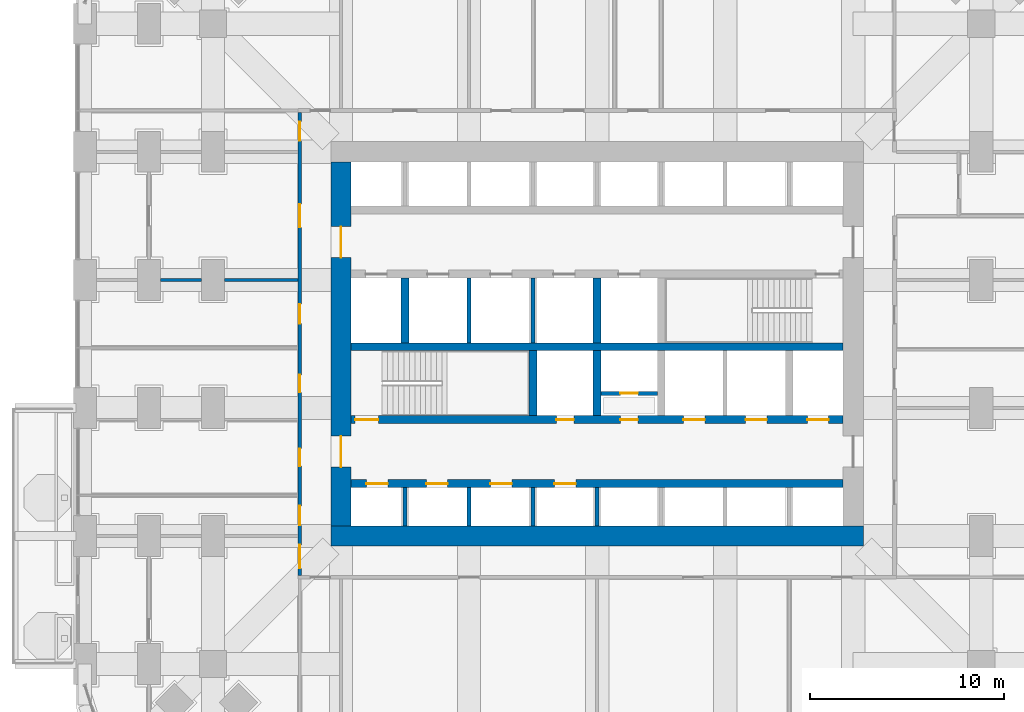
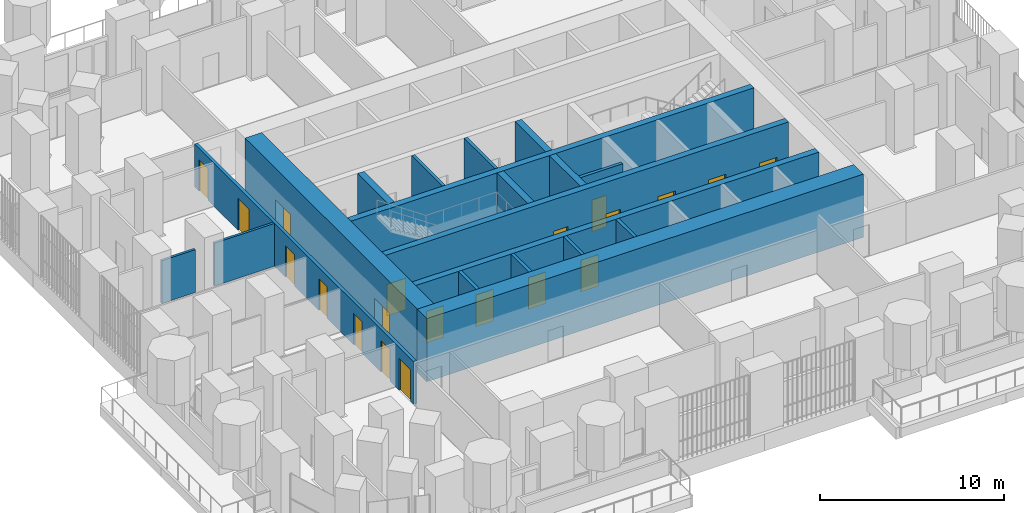
# One storey, part 19 of 27: 20 doors, 19 walls, 20 openings.
"""IFC4 building model written with IfcOpenShell, lengths in metres."""

from ifc_helpers import new_model, si_unit, direction, frame, frame_2d, origin, place, context, subcontext, project, spatial, rectangle, extrude, material, layer, layer_set, type_object, element, fill, save


model = new_model("IFC4")

# Units and contexts
model_context = context("Model", 3, precision=1e-05, world=origin(), true_north=direction((0.0, 1.0)))
body_context = subcontext(model_context, "Body", "Model", "MODEL_VIEW")
ifc_project = project(units=[si_unit("LENGTHUNIT", "METRE"), si_unit("AREAUNIT", "SQUARE_METRE"), si_unit("VOLUMEUNIT", "CUBIC_METRE"), si_unit("PLANEANGLEUNIT", "RADIAN"), si_unit("MASSUNIT", "GRAM", prefix="KILO")], contexts=[model_context])

# Site, building, storey
site_placement = place(None, origin())
site = spatial("IfcSite", under=ifc_project, at=site_placement, CompositionType="ELEMENT")
building_placement = place(site_placement, origin())
building = spatial("IfcBuilding", under=site, at=building_placement, Name="Cobogo Forest Laboratory Tower", CompositionType="ELEMENT")
storey_placement = place(building_placement, frame((0.0, 0.0, 29.699951171875)))
storey = spatial("IfcBuildingStorey", under=building, at=storey_placement, Name="L06", CompositionType="ELEMENT", Elevation=29.699951171875)

# Wall, openings, doors
ifc_material_1 = material(Name="Concrete HA-50 (C50/60)", Category="concrete")
ifc_layer_1 = layer(ifc_material_1, 0.39990234375)
ifc_layer_set_1 = layer_set([ifc_layer_1], Name="CI400 core inner wall 400")
wall_type_1 = type_object("IfcWallType", Name="CI400 core inner wall 400", PredefinedType="SHEAR", material=ifc_layer_set_1)
wall_1_placement = place(storey_placement, frame((13.72509765625, 15.89990234375, 0.0), z_axis=(0.0, 0.0, 1.0), x_axis=(1.0, 0.0, 0.0)))
wall_1 = element("IfcWall", 1, at=wall_1_placement, inside=storey, type_object=wall_type_1, Name="Core wall CI-15.9 L06", PredefinedType="SHEAR", context=body_context, shape_type="SweptSolid", body=[
    extrude(rectangle(XDim=25.349853515625, YDim=0.39990234375, at=frame_2d((12.6748046875, 0.0))), origin(), (0.0, 0.0, 1.0), 4.199951171875),
])
opening_1_placement = place(wall_1_placement, frame((0.78759765625, 0.0, 0.0)))
opening_1 = element("IfcOpeningElement", 2, at=opening_1_placement, cuts=wall_1, Name="Opening L06-LD-LA1", PredefinedType="OPENING", context=body_context, shape_type="SweptSolid", body=[
    extrude(rectangle(XDim=1.10009765625, YDim=2.10009765625, at=frame_2d((0.550048828125, 1.050048828125))), frame((0.0, 0.2099609375, 0.0), z_axis=(0.0, -1.0, 0.0), x_axis=(1.0, 0.0, 0.0)), (0.0, 0.0, 1.0), 0.419921875),
])
opening_2_placement = place(wall_1_placement, frame((3.875, 0.0, 0.0)))
opening_2 = element("IfcOpeningElement", 3, at=opening_2_placement, cuts=wall_1, Name="Opening L06-LD-LA2", PredefinedType="OPENING", context=body_context, shape_type="SweptSolid", body=[
    extrude(rectangle(XDim=1.10009765625, YDim=2.10009765625, at=frame_2d((0.550048828125, 1.050048828125))), frame((0.0, 0.2099609375, 0.0), z_axis=(0.0, -1.0, 0.0), x_axis=(1.0, 0.0, 0.0)), (0.0, 0.0, 1.0), 0.419921875),
])
opening_3_placement = place(wall_1_placement, frame((7.175048828125, 0.0, 0.0)))
opening_3 = element("IfcOpeningElement", 4, at=opening_3_placement, cuts=wall_1, Name="Opening L06-LD-LA3", PredefinedType="OPENING", context=body_context, shape_type="SweptSolid", body=[
    extrude(rectangle(XDim=1.10009765625, YDim=2.10009765625, at=frame_2d((0.550048828125, 1.050048828125))), frame((0.0, 0.2099609375, 0.0), z_axis=(0.0, -1.0, 0.0), x_axis=(1.0, 0.0, 0.0)), (0.0, 0.0, 1.0), 0.419921875),
])
opening_4_placement = place(wall_1_placement, frame((10.47509765625, 0.0, 0.0)))
opening_4 = element("IfcOpeningElement", 5, at=opening_4_placement, cuts=wall_1, Name="Opening L06-LD-LA4", PredefinedType="OPENING", context=body_context, shape_type="SweptSolid", body=[
    extrude(rectangle(XDim=1.10009765625, YDim=2.10009765625, at=frame_2d((0.550048828125, 1.050048828125))), frame((0.0, 0.2099609375, 0.0), z_axis=(0.0, -1.0, 0.0), x_axis=(1.0, 0.0, 0.0)), (0.0, 0.0, 1.0), 0.419921875),
])
ifc_material_2 = material(Name="Stainless steel lift door", Category="steel")
door_type_1 = type_object("IfcDoorType", Name="LD lift landing door 1100", OperationType="DOUBLE_DOOR_SLIDING", PredefinedType="DOOR", material=ifc_material_2)
door_1_placement = place(opening_1_placement, origin())
door_1 = element("IfcDoor", 6, at=door_1_placement, inside=storey, type_object=door_type_1, Name="Lift landing door LA1 L06", OperationType="DOUBLE_DOOR_SLIDING", OverallHeight=2.10009765625, OverallWidth=1.10009765625, PredefinedType="DOOR", context=body_context, shape_type="SweptSolid", body=[
    extrude(rectangle(XDim=1.10009765625, YDim=2.10009765625, at=frame_2d((0.550048828125, 1.050048828125))), frame((0.0, 0.02490234375, 0.0), z_axis=(0.0, -1.0, 0.0), x_axis=(1.0, 0.0, 0.0)), (0.0, 0.0, 1.0), 0.050048828125),
])
fill(opening_1, door_1)
door_2_placement = place(opening_2_placement, origin())
door_2 = element("IfcDoor", 7, at=door_2_placement, inside=storey, type_object=door_type_1, Name="Lift landing door LA2 L06", OperationType="DOUBLE_DOOR_SLIDING", OverallHeight=2.10009765625, OverallWidth=1.10009765625, PredefinedType="DOOR", context=body_context, shape_type="SweptSolid", body=[
    extrude(rectangle(XDim=1.10009765625, YDim=2.10009765625, at=frame_2d((0.550048828125, 1.050048828125))), frame((0.0, 0.02490234375, 0.0), z_axis=(0.0, -1.0, 0.0), x_axis=(1.0, 0.0, 0.0)), (0.0, 0.0, 1.0), 0.050048828125),
])
fill(opening_2, door_2)
door_3_placement = place(opening_3_placement, origin())
door_3 = element("IfcDoor", 8, at=door_3_placement, inside=storey, type_object=door_type_1, Name="Lift landing door LA3 L06", OperationType="DOUBLE_DOOR_SLIDING", OverallHeight=2.10009765625, OverallWidth=1.10009765625, PredefinedType="DOOR", context=body_context, shape_type="SweptSolid", body=[
    extrude(rectangle(XDim=1.10009765625, YDim=2.10009765625, at=frame_2d((0.550048828125, 1.050048828125))), frame((0.0, 0.02490234375, 0.0), z_axis=(0.0, -1.0, 0.0), x_axis=(1.0, 0.0, 0.0)), (0.0, 0.0, 1.0), 0.050048828125),
])
fill(opening_3, door_3)
door_4_placement = place(opening_4_placement, origin())
door_4 = element("IfcDoor", 9, at=door_4_placement, inside=storey, type_object=door_type_1, Name="Lift landing door LA4 L06", OperationType="DOUBLE_DOOR_SLIDING", OverallHeight=2.10009765625, OverallWidth=1.10009765625, PredefinedType="DOOR", context=body_context, shape_type="SweptSolid", body=[
    extrude(rectangle(XDim=1.10009765625, YDim=2.10009765625, at=frame_2d((0.550048828125, 1.050048828125))), frame((0.0, 0.02490234375, 0.0), z_axis=(0.0, -1.0, 0.0), x_axis=(1.0, 0.0, 0.0)), (0.0, 0.0, 1.0), 0.050048828125),
])
fill(opening_4, door_4)

wall_2_placement = place(storey_placement, frame((13.72509765625, 19.199951171875, 0.0), z_axis=(0.0, 0.0, 1.0), x_axis=(1.0, 0.0, 0.0)))
wall_2 = element("IfcWall", 10, at=wall_2_placement, inside=storey, type_object=wall_type_1, Name="Core wall CI-19.2 L06", PredefinedType="SHEAR", context=body_context, shape_type="SweptSolid", body=[
    extrude(rectangle(XDim=25.349853515625, YDim=0.39990234375, at=frame_2d((12.6748046875, 0.0))), origin(), (0.0, 0.0, 1.0), 4.199951171875),
])
opening_5_placement = place(wall_2_placement, frame((10.574951171875, 0.0, 0.0)))
opening_5 = element("IfcOpeningElement", 11, at=opening_5_placement, cuts=wall_2, Name="Opening L06-D21", PredefinedType="OPENING", context=body_context, shape_type="SweptSolid", body=[
    extrude(rectangle(XDim=0.89990234375, YDim=2.10009765625, at=frame_2d((0.449951171875, 1.050048828125))), frame((0.0, 0.2099609375, 0.0), z_axis=(0.0, -1.0, 0.0), x_axis=(1.0, 0.0, 0.0)), (0.0, 0.0, 1.0), 0.419921875),
])
opening_6_placement = place(wall_2_placement, frame((13.875, 0.0, 0.0)))
opening_6 = element("IfcOpeningElement", 12, at=opening_6_placement, cuts=wall_2, Name="Opening L06-D22", PredefinedType="OPENING", context=body_context, shape_type="SweptSolid", body=[
    extrude(rectangle(XDim=0.89990234375, YDim=2.10009765625, at=frame_2d((0.449951171875, 1.050048828125))), frame((0.0, 0.2099609375, 0.0), z_axis=(0.0, -1.0, 0.0), x_axis=(1.0, 0.0, 0.0)), (0.0, 0.0, 1.0), 0.419921875),
])
opening_7_placement = place(wall_2_placement, frame((0.199951171875, 0.0, 0.0)))
opening_7 = element("IfcOpeningElement", 13, at=opening_7_placement, cuts=wall_2, Name="Opening L06-D20", PredefinedType="OPENING", context=body_context, shape_type="SweptSolid", body=[
    extrude(rectangle(XDim=1.199951171875, YDim=2.10009765625, at=frame_2d((0.60009765625, 1.050048828125))), frame((0.0, 0.2099609375, 0.0), z_axis=(0.0, -1.0, 0.0), x_axis=(1.0, 0.0, 0.0)), (0.0, 0.0, 1.0), 0.419921875),
])
opening_8_placement = place(wall_2_placement, frame((23.512451171875, 0.0, 0.0)))
opening_8 = element("IfcOpeningElement", 14, at=opening_8_placement, cuts=wall_2, Name="Opening L06-LD-FL2", PredefinedType="OPENING", context=body_context, shape_type="SweptSolid", body=[
    extrude(rectangle(XDim=1.10009765625, YDim=2.10009765625, at=frame_2d((0.550048828125, 1.050048828125))), frame((0.0, 0.2099609375, 0.0), z_axis=(0.0, -1.0, 0.0), x_axis=(1.0, 0.0, 0.0)), (0.0, 0.0, 1.0), 0.419921875),
])
opening_9_placement = place(wall_2_placement, frame((17.125, 0.0, 0.0)))
opening_9 = element("IfcOpeningElement", 15, at=opening_9_placement, cuts=wall_2, Name="Opening L06-LD-LS1", PredefinedType="OPENING", context=body_context, shape_type="SweptSolid", body=[
    extrude(rectangle(XDim=1.10009765625, YDim=2.10009765625, at=frame_2d((0.550048828125, 1.050048828125))), frame((0.0, 0.2099609375, 0.0), z_axis=(0.0, -1.0, 0.0), x_axis=(1.0, 0.0, 0.0)), (0.0, 0.0, 1.0), 0.419921875),
])
opening_10_placement = place(wall_2_placement, frame((20.324951171875, 0.0, 0.0)))
opening_10 = element("IfcOpeningElement", 16, at=opening_10_placement, cuts=wall_2, Name="Opening L06-LD-LS2", PredefinedType="OPENING", context=body_context, shape_type="SweptSolid", body=[
    extrude(rectangle(XDim=1.10009765625, YDim=2.10009765625, at=frame_2d((0.550048828125, 1.050048828125))), frame((0.0, 0.2099609375, 0.0), z_axis=(0.0, -1.0, 0.0), x_axis=(1.0, 0.0, 0.0)), (0.0, 0.0, 1.0), 0.419921875),
])
ifc_material_3 = material(Name="Steel fire door", Category="steel")
door_type_2 = type_object("IfcDoorType", Name="DS1 protected stair door 1200 EI2 60", OperationType="SINGLE_SWING_LEFT", PredefinedType="DOOR", material=ifc_material_3)
door_5_placement = place(opening_7_placement, origin())
door_5 = element("IfcDoor", 17, at=door_5_placement, inside=storey, type_object=door_type_2, Name="Door L06-ST1", OperationType="SINGLE_SWING_LEFT", OverallHeight=2.10009765625, OverallWidth=1.199951171875, PredefinedType="DOOR", context=body_context, shape_type="SweptSolid", body=[
    extrude(rectangle(XDim=1.199951171875, YDim=2.10009765625, at=frame_2d((0.60009765625, 1.050048828125))), frame((0.0, 0.02490234375, 0.0), z_axis=(0.0, -1.0, 0.0), x_axis=(1.0, 0.0, 0.0)), (0.0, 0.0, 1.0), 0.050048828125),
])
fill(opening_7, door_5)
door_type_3 = type_object("IfcDoorType", Name="FD4 riser access door 900 EI2 60", OperationType="SINGLE_SWING_LEFT", PredefinedType="DOOR", material=ifc_material_3)
door_6_placement = place(opening_5_placement, origin())
door_6 = element("IfcDoor", 18, at=door_6_placement, inside=storey, type_object=door_type_3, Name="Door L06-R1", OperationType="SINGLE_SWING_LEFT", OverallHeight=2.10009765625, OverallWidth=0.89990234375, PredefinedType="DOOR", context=body_context, shape_type="SweptSolid", body=[
    extrude(rectangle(XDim=0.89990234375, YDim=2.10009765625, at=frame_2d((0.449951171875, 1.050048828125))), frame((0.0, 0.02490234375, 0.0), z_axis=(0.0, -1.0, 0.0), x_axis=(1.0, 0.0, 0.0)), (0.0, 0.0, 1.0), 0.050048828125),
])
fill(opening_5, door_6)
door_7_placement = place(opening_6_placement, origin())
door_7 = element("IfcDoor", 19, at=door_7_placement, inside=storey, type_object=door_type_3, Name="Door L06-R2V", OperationType="SINGLE_SWING_RIGHT", OverallHeight=2.10009765625, OverallWidth=0.89990234375, PredefinedType="DOOR", context=body_context, shape_type="SweptSolid", body=[
    extrude(rectangle(XDim=0.89990234375, YDim=2.10009765625, at=frame_2d((0.449951171875, 1.050048828125))), frame((0.0, 0.02490234375, 0.0), z_axis=(0.0, -1.0, 0.0), x_axis=(1.0, 0.0, 0.0)), (0.0, 0.0, 1.0), 0.050048828125),
])
fill(opening_6, door_7)
door_8_placement = place(opening_8_placement, origin())
door_8 = element("IfcDoor", 20, at=door_8_placement, inside=storey, type_object=door_type_1, Name="Lift landing door FL2 L06", OperationType="DOUBLE_DOOR_SLIDING", OverallHeight=2.10009765625, OverallWidth=1.10009765625, PredefinedType="DOOR", context=body_context, shape_type="SweptSolid", body=[
    extrude(rectangle(XDim=1.10009765625, YDim=2.10009765625, at=frame_2d((0.550048828125, 1.050048828125))), frame((0.0, 0.02490234375, 0.0), z_axis=(0.0, -1.0, 0.0), x_axis=(1.0, 0.0, 0.0)), (0.0, 0.0, 1.0), 0.050048828125),
])
fill(opening_8, door_8)
door_9_placement = place(opening_9_placement, origin())
door_9 = element("IfcDoor", 21, at=door_9_placement, inside=storey, type_object=door_type_1, Name="Lift landing door LS1 L06", OperationType="DOUBLE_DOOR_SLIDING", OverallHeight=2.10009765625, OverallWidth=1.10009765625, PredefinedType="DOOR", context=body_context, shape_type="SweptSolid", body=[
    extrude(rectangle(XDim=1.10009765625, YDim=2.10009765625, at=frame_2d((0.550048828125, 1.050048828125))), frame((0.0, 0.02490234375, 0.0), z_axis=(0.0, -1.0, 0.0), x_axis=(1.0, 0.0, 0.0)), (0.0, 0.0, 1.0), 0.050048828125),
])
fill(opening_9, door_9)
door_10_placement = place(opening_10_placement, origin())
door_10 = element("IfcDoor", 22, at=door_10_placement, inside=storey, type_object=door_type_1, Name="Lift landing door LS2 L06", OperationType="DOUBLE_DOOR_SLIDING", OverallHeight=2.10009765625, OverallWidth=1.10009765625, PredefinedType="DOOR", context=body_context, shape_type="SweptSolid", body=[
    extrude(rectangle(XDim=1.10009765625, YDim=2.10009765625, at=frame_2d((0.550048828125, 1.050048828125))), frame((0.0, 0.02490234375, 0.0), z_axis=(0.0, -1.0, 0.0), x_axis=(1.0, 0.0, 0.0)), (0.0, 0.0, 1.0), 0.050048828125),
])
fill(opening_10, door_10)

# Walls
wall_3_placement = place(storey_placement, frame((13.72509765625, 22.949951171875, 0.0), z_axis=(0.0, 0.0, 1.0), x_axis=(1.0, 0.0, 0.0)))
element("IfcWall", 23, at=wall_3_placement, inside=storey, type_object=wall_type_1, Name="Core wall CI-22.95 L06", PredefinedType="SHEAR", context=body_context, shape_type="SweptSolid", body=[
    extrude(rectangle(XDim=25.349853515625, YDim=0.39990234375, at=frame_2d((12.6748046875, 0.0))), origin(), (0.0, 0.0, 1.0), 4.199951171875),
])
for number, where, z_axis, x_axis, name in (
    (24, (23.10009765625, 19.39990234375, 0.0), (0.0, 0.0, 1.0), (0.0, 1.0, 0.0), "Core wall CX-23.1 L06"),
    (25, (26.39990234375, 19.39990234375, 0.0), (0.0, 0.0, 1.0), (0.0, 1.0, 0.0), "Core wall CX-26.4S L06"),
    (26, (16.5, 23.14990234375, 0.0), (0.0, 0.0, 1.0), (0.0, 1.0, 0.0), "Core wall CX-16.5 L06"),
    (27, (26.39990234375, 23.14990234375, 0.0), (0.0, 0.0, 1.0), (0.0, 1.0, 0.0), "Core wall CX-26.4N L06"),
):
    element("IfcWall", number, at=place(storey_placement, frame(where, z_axis=z_axis, x_axis=x_axis)), inside=storey, type_object=wall_type_1, Name=name, PredefinedType="SHEAR", context=body_context, shape_type="SweptSolid", body=[
        extrude(rectangle(XDim=3.35009765625, YDim=0.39990234375, at=frame_2d((1.675048828125, 0.0))), origin(), (0.0, 0.0, 1.0), 4.199951171875),
    ])
ifc_layer_2 = layer(ifc_material_1, 1.050048828125)
ifc_layer_set_2 = layer_set([ifc_layer_2], Name="CW1050 core outer wall 1050")
wall_type_2 = type_object("IfcWallType", Name="CW1050 core outer wall 1050", PredefinedType="SHEAR", material=ifc_layer_set_2)
wall_4_placement = place(storey_placement, frame((12.675048828125, 13.199951171875, 0.0), z_axis=(0.0, 0.0, 1.0), x_axis=(1.0, 0.0, 0.0)))
element("IfcWall", 28, at=wall_4_placement, inside=storey, type_object=wall_type_2, Name="Core wall CO-S L06", PredefinedType="SHEAR", context=body_context, shape_type="SweptSolid", body=[
    extrude(rectangle(XDim=27.449951171875, YDim=1.050048828125, at=frame_2d((13.72509765625, 0.0))), origin(), (0.0, 0.0, 1.0), 4.199951171875),
])

# Wall, openings, doors
wall_5_placement = place(storey_placement, frame((13.199951171875, 32.47509765625, 0.0), z_axis=(0.0, 0.0, 1.0), x_axis=(0.0, -1.0, 0.0)))
wall_5 = element("IfcWall", 29, at=wall_5_placement, inside=storey, type_object=wall_type_2, Name="Core wall CO-W L06", PredefinedType="SHEAR", context=body_context, shape_type="SweptSolid", body=[
    extrude(rectangle(XDim=18.75, YDim=1.050048828125, at=frame_2d((9.375, 0.0))), origin(), (0.0, 0.0, 1.0), 4.199951171875),
])
opening_11_placement = place(wall_5_placement, frame((14.125, 0.0, 0.0)))
opening_11 = element("IfcOpeningElement", 30, at=opening_11_placement, cuts=wall_5, Name="Opening L06-D18", PredefinedType="OPENING", context=body_context, shape_type="SweptSolid", body=[
    extrude(rectangle(XDim=1.60009765625, YDim=2.10009765625, at=frame_2d((0.800048828125, 1.050048828125))), frame((0.0, 0.534912109375, 0.0), z_axis=(0.0, -1.0, 0.0), x_axis=(1.0, 0.0, 0.0)), (0.0, 0.0, 1.0), 1.070068359375),
])
opening_12_placement = place(wall_5_placement, frame((3.324951171875, 0.0, 0.0)))
opening_12 = element("IfcOpeningElement", 31, at=opening_12_placement, cuts=wall_5, Name="Opening L06-D31", PredefinedType="OPENING", context=body_context, shape_type="SweptSolid", body=[
    extrude(rectangle(XDim=1.60009765625, YDim=2.10009765625, at=frame_2d((0.800048828125, 1.050048828125))), frame((0.0, 0.534912109375, 0.0), z_axis=(0.0, -1.0, 0.0), x_axis=(1.0, 0.0, 0.0)), (0.0, 0.0, 1.0), 1.070068359375),
])
door_type_4 = type_object("IfcDoorType", Name="DS2 protected lobby door pair 1600 EI2 60", OperationType="DOUBLE_DOOR_DOUBLE_SWING", PredefinedType="DOOR", material=ifc_material_3)
door_11_placement = place(opening_11_placement, origin())
door_11 = element("IfcDoor", 32, at=door_11_placement, inside=storey, type_object=door_type_4, Name="Door L06-CO-W-S", OperationType="DOUBLE_DOOR_DOUBLE_SWING", OverallHeight=2.10009765625, OverallWidth=1.60009765625, PredefinedType="DOOR", context=body_context, shape_type="SweptSolid", body=[
    extrude(rectangle(XDim=1.60009765625, YDim=2.10009765625, at=frame_2d((0.800048828125, 1.050048828125))), frame((0.0, 0.02490234375, 0.0), z_axis=(0.0, -1.0, 0.0), x_axis=(1.0, 0.0, 0.0)), (0.0, 0.0, 1.0), 0.050048828125),
])
fill(opening_11, door_11)
door_12_placement = place(opening_12_placement, origin())
door_12 = element("IfcDoor", 33, at=door_12_placement, inside=storey, type_object=door_type_4, Name="Door L06-CO-W-N", OperationType="DOUBLE_DOOR_DOUBLE_SWING", OverallHeight=2.10009765625, OverallWidth=1.60009765625, PredefinedType="DOOR", context=body_context, shape_type="SweptSolid", body=[
    extrude(rectangle(XDim=1.60009765625, YDim=2.10009765625, at=frame_2d((0.800048828125, 1.050048828125))), frame((0.0, 0.02490234375, 0.0), z_axis=(0.0, -1.0, 0.0), x_axis=(1.0, 0.0, 0.0)), (0.0, 0.0, 1.0), 0.050048828125),
])
fill(opening_12, door_12)

# Walls
ifc_material_4 = material(Name="Gypsum board on steel studs", Category="steel")
ifc_layer_3 = layer(ifc_material_4, 0.14990234375)
ifc_layer_set_3 = layer_set([ifc_layer_3], Name="PT1 laboratory partition 150")
wall_type_3 = type_object("IfcWallType", Name="PT1 laboratory partition 150", PredefinedType="PARTITIONING", material=ifc_layer_set_3)
wall_6_placement = place(storey_placement, frame((3.89990234375, 26.39990234375, 0.0), z_axis=(0.0, 0.0, 1.0), x_axis=(1.0, 0.0, 0.0)))
element("IfcWall", 34, at=wall_6_placement, inside=storey, type_object=wall_type_3, Name="Partition CUT-W26.4-2 L06", PredefinedType="PARTITIONING", context=body_context, shape_type="SweptSolid", body=[
    extrude(rectangle(XDim=2.10009765625, YDim=0.14990234375, at=frame_2d((1.050048828125, 0.0))), origin(), (0.0, 0.0, 1.0), 2.85009765625),
])
wall_7_placement = place(storey_placement, frame((7.199951171875, 26.39990234375, 0.0), z_axis=(0.0, 0.0, 1.0), x_axis=(1.0, 0.0, 0.0)))
element("IfcWall", 35, at=wall_7_placement, inside=storey, type_object=wall_type_3, Name="Partition CUT-W26.4-3 L06", PredefinedType="PARTITIONING", context=body_context, shape_type="SweptSolid", body=[
    extrude(rectangle(XDim=3.775146484375, YDim=0.14990234375, at=frame_2d((1.8876953125, 0.0))), origin(), (0.0, 0.0, 1.0), 2.85009765625),
])

# Wall, openings, doors
ifc_layer_4 = layer(ifc_material_4, 0.199951171875)
ifc_layer_set_4 = layer_set([ifc_layer_4], Name="PT2 fire-rated corridor partition 200")
wall_type_4 = type_object("IfcWallType", Name="PT2 fire-rated corridor partition 200", PredefinedType="PARTITIONING", material=ifc_layer_set_4)
wall_8_placement = place(storey_placement, frame((11.074951171875, 11.175048828125, 0.0), z_axis=(0.0, 0.0, 1.0), x_axis=(0.0, 1.0, 0.0)))
wall_8 = element("IfcWall", 36, at=wall_8_placement, inside=storey, type_object=wall_type_4, Name="Partition CORR-W L06", PredefinedType="PARTITIONING", context=body_context, shape_type="SweptSolid", body=[
    extrude(rectangle(XDim=23.849853515625, YDim=0.199951171875, at=frame_2d((11.9248046875, 0.0))), origin(), (0.0, 0.0, 1.0), 2.85009765625),
])
opening_13_placement = place(wall_8_placement, frame((0.362548828125, 0.0, 0.0)))
opening_13 = element("IfcOpeningElement", 37, at=opening_13_placement, cuts=wall_8, Name="Opening L06-D13", PredefinedType="OPENING", context=body_context, shape_type="SweptSolid", body=[
    extrude(rectangle(XDim=1.199951171875, YDim=2.10009765625, at=frame_2d((0.60009765625, 1.050048828125))), frame((0.0, 0.10986328125, 0.0), z_axis=(0.0, -1.0, 0.0), x_axis=(1.0, 0.0, 0.0)), (0.0, 0.0, 1.0), 0.219970703125),
])
opening_14_placement = place(wall_8_placement, frame((2.574951171875, 0.0, 0.0)))
opening_14 = element("IfcOpeningElement", 38, at=opening_14_placement, cuts=wall_8, Name="Opening L06-D14", PredefinedType="OPENING", context=body_context, shape_type="SweptSolid", body=[
    extrude(rectangle(XDim=1.0, YDim=2.10009765625, at=frame_2d((0.5, 1.050048828125))), frame((0.0, 0.10986328125, 0.0), z_axis=(0.0, -1.0, 0.0), x_axis=(1.0, 0.0, 0.0)), (0.0, 0.0, 1.0), 0.219970703125),
])
opening_15_placement = place(wall_8_placement, frame((5.625, 0.0, 0.0)))
opening_15 = element("IfcOpeningElement", 39, at=opening_15_placement, cuts=wall_8, Name="Opening L06-D17", PredefinedType="OPENING", context=body_context, shape_type="SweptSolid", body=[
    extrude(rectangle(XDim=0.89990234375, YDim=2.10009765625, at=frame_2d((0.449951171875, 1.050048828125))), frame((0.0, 0.10986328125, 0.0), z_axis=(0.0, -1.0, 0.0), x_axis=(1.0, 0.0, 0.0)), (0.0, 0.0, 1.0), 0.219970703125),
])
opening_16_placement = place(wall_8_placement, frame((9.425048828125, 0.0, 0.0)))
opening_16 = element("IfcOpeningElement", 40, at=opening_16_placement, cuts=wall_8, Name="Opening L06-D24", PredefinedType="OPENING", context=body_context, shape_type="SweptSolid", body=[
    extrude(rectangle(XDim=0.89990234375, YDim=2.10009765625, at=frame_2d((0.449951171875, 1.050048828125))), frame((0.0, 0.10986328125, 0.0), z_axis=(0.0, -1.0, 0.0), x_axis=(1.0, 0.0, 0.0)), (0.0, 0.0, 1.0), 0.219970703125),
])
opening_17_placement = place(wall_8_placement, frame((12.97509765625, 0.0, 0.0)))
opening_17 = element("IfcOpeningElement", 41, at=opening_17_placement, cuts=wall_8, Name="Opening L06-D27", PredefinedType="OPENING", context=body_context, shape_type="SweptSolid", body=[
    extrude(rectangle(XDim=1.0, YDim=2.10009765625, at=frame_2d((0.5, 1.050048828125))), frame((0.0, 0.10986328125, 0.0), z_axis=(0.0, -1.0, 0.0), x_axis=(1.0, 0.0, 0.0)), (0.0, 0.0, 1.0), 0.219970703125),
])
opening_18_placement = place(wall_8_placement, frame((17.925048828125, 0.0, 0.0)))
opening_18 = element("IfcOpeningElement", 42, at=opening_18_placement, cuts=wall_8, Name="Opening L06-D34", PredefinedType="OPENING", context=body_context, shape_type="SweptSolid", body=[
    extrude(rectangle(XDim=1.199951171875, YDim=2.10009765625, at=frame_2d((0.60009765625, 1.050048828125))), frame((0.0, 0.10986328125, 0.0), z_axis=(0.0, -1.0, 0.0), x_axis=(1.0, 0.0, 0.0)), (0.0, 0.0, 1.0), 0.219970703125),
])
opening_19_placement = place(wall_8_placement, frame((22.387451171875, 0.0, 0.0)))
opening_19 = element("IfcOpeningElement", 43, at=opening_19_placement, cuts=wall_8, Name="Opening L06-D37", PredefinedType="OPENING", context=body_context, shape_type="SweptSolid", body=[
    extrude(rectangle(XDim=1.0, YDim=2.10009765625, at=frame_2d((0.5, 1.050048828125))), frame((0.0, 0.10986328125, 0.0), z_axis=(0.0, -1.0, 0.0), x_axis=(1.0, 0.0, 0.0)), (0.0, 0.0, 1.0), 0.219970703125),
])
ifc_material_5 = material(Name="Timber door", Category="wood")
door_type_5 = type_object("IfcDoorType", Name="D2 laboratory door 1200 unequal pair", OperationType="DOUBLE_DOOR_SINGLE_SWING", PredefinedType="DOOR", material=ifc_material_5)
door_13_placement = place(opening_13_placement, origin())
door_13 = element("IfcDoor", 44, at=door_13_placement, inside=storey, type_object=door_type_5, Name="Door L06-W1", OperationType="DOUBLE_DOOR_SINGLE_SWING", OverallHeight=2.10009765625, OverallWidth=1.199951171875, PredefinedType="DOOR", context=body_context, shape_type="SweptSolid", body=[
    extrude(rectangle(XDim=1.199951171875, YDim=2.10009765625, at=frame_2d((0.60009765625, 1.050048828125))), frame((0.0, 0.02490234375, 0.0), z_axis=(0.0, -1.0, 0.0), x_axis=(1.0, 0.0, 0.0)), (0.0, 0.0, 1.0), 0.050048828125),
])
fill(opening_13, door_13)
door_14_placement = place(opening_18_placement, origin())
door_14 = element("IfcDoor", 45, at=door_14_placement, inside=storey, type_object=door_type_5, Name="Door L06-W3", OperationType="DOUBLE_DOOR_SINGLE_SWING", OverallHeight=2.10009765625, OverallWidth=1.199951171875, PredefinedType="DOOR", context=body_context, shape_type="SweptSolid", body=[
    extrude(rectangle(XDim=1.199951171875, YDim=2.10009765625, at=frame_2d((0.60009765625, 1.050048828125))), frame((0.0, 0.02490234375, 0.0), z_axis=(0.0, -1.0, 0.0), x_axis=(1.0, 0.0, 0.0)), (0.0, 0.0, 1.0), 0.050048828125),
])
fill(opening_18, door_14)
ifc_material_6 = material(Name="Timber fire door", Category="wood")
door_type_6 = type_object("IfcDoorType", Name="FD2 fire door 1000 EI2 30", OperationType="SINGLE_SWING_LEFT", PredefinedType="DOOR", material=ifc_material_6)
door_15_placement = place(opening_17_placement, origin())
door_15 = element("IfcDoor", 46, at=door_15_placement, inside=storey, type_object=door_type_6, Name="Door L06-SHW", OperationType="SINGLE_SWING_RIGHT", OverallHeight=2.10009765625, OverallWidth=1.0, PredefinedType="DOOR", context=body_context, shape_type="SweptSolid", body=[
    extrude(rectangle(XDim=1.0, YDim=2.10009765625, at=frame_2d((0.5, 1.050048828125))), frame((0.0, 0.02490234375, 0.0), z_axis=(0.0, -1.0, 0.0), x_axis=(1.0, 0.0, 0.0)), (0.0, 0.0, 1.0), 0.050048828125),
])
fill(opening_17, door_15)
door_16_placement = place(opening_19_placement, origin())
door_16 = element("IfcDoor", 47, at=door_16_placement, inside=storey, type_object=door_type_6, Name="Door L06-W4", OperationType="SINGLE_SWING_RIGHT", OverallHeight=2.10009765625, OverallWidth=1.0, PredefinedType="DOOR", context=body_context, shape_type="SweptSolid", body=[
    extrude(rectangle(XDim=1.0, YDim=2.10009765625, at=frame_2d((0.5, 1.050048828125))), frame((0.0, 0.02490234375, 0.0), z_axis=(0.0, -1.0, 0.0), x_axis=(1.0, 0.0, 0.0)), (0.0, 0.0, 1.0), 0.050048828125),
])
fill(opening_19, door_16)
door_type_7 = type_object("IfcDoorType", Name="FD3 toilet fire door 900 EI2 30", OperationType="SINGLE_SWING_LEFT", PredefinedType="DOOR", material=ifc_material_6)
door_17_placement = place(opening_15_placement, origin())
door_17 = element("IfcDoor", 48, at=door_17_placement, inside=storey, type_object=door_type_7, Name="Door L06-WCF", OperationType="SINGLE_SWING_LEFT", OverallHeight=2.10009765625, OverallWidth=0.89990234375, PredefinedType="DOOR", context=body_context, shape_type="SweptSolid", body=[
    extrude(rectangle(XDim=0.89990234375, YDim=2.10009765625, at=frame_2d((0.449951171875, 1.050048828125))), frame((0.0, 0.02490234375, 0.0), z_axis=(0.0, -1.0, 0.0), x_axis=(1.0, 0.0, 0.0)), (0.0, 0.0, 1.0), 0.050048828125),
])
fill(opening_15, door_17)
door_18_placement = place(opening_16_placement, origin())
door_18 = element("IfcDoor", 49, at=door_18_placement, inside=storey, type_object=door_type_7, Name="Door L06-WCM", OperationType="SINGLE_SWING_LEFT", OverallHeight=2.10009765625, OverallWidth=0.89990234375, PredefinedType="DOOR", context=body_context, shape_type="SweptSolid", body=[
    extrude(rectangle(XDim=0.89990234375, YDim=2.10009765625, at=frame_2d((0.449951171875, 1.050048828125))), frame((0.0, 0.02490234375, 0.0), z_axis=(0.0, -1.0, 0.0), x_axis=(1.0, 0.0, 0.0)), (0.0, 0.0, 1.0), 0.050048828125),
])
fill(opening_16, door_18)
door_type_8 = type_object("IfcDoorType", Name="FDA1 accessible toilet fire door 1000 EI2 30", OperationType="SINGLE_SWING_RIGHT", PredefinedType="DOOR", material=ifc_material_6)
door_19_placement = place(opening_14_placement, origin())
door_19 = element("IfcDoor", 50, at=door_19_placement, inside=storey, type_object=door_type_8, Name="Door L06-WCA", OperationType="SINGLE_SWING_LEFT", OverallHeight=2.10009765625, OverallWidth=1.0, PredefinedType="DOOR", context=body_context, shape_type="SweptSolid", body=[
    extrude(rectangle(XDim=1.0, YDim=2.10009765625, at=frame_2d((0.5, 1.050048828125))), frame((0.0, 0.02490234375, 0.0), z_axis=(0.0, -1.0, 0.0), x_axis=(1.0, 0.0, 0.0)), (0.0, 0.0, 1.0), 0.050048828125),
])
fill(opening_14, door_19)

# Wall, opening, door
wall_9_placement = place(storey_placement, frame((26.60009765625, 20.550048828125, 0.0), z_axis=(0.0, 0.0, 1.0), x_axis=(1.0, 0.0, 0.0)))
wall_9 = element("IfcWall", 51, at=wall_9_placement, inside=storey, type_object=wall_type_4, Name="Partition RSPLIT-R2 L06", PredefinedType="PARTITIONING", context=body_context, shape_type="SweptSolid", body=[
    extrude(rectangle(XDim=2.89990234375, YDim=0.199951171875, at=frame_2d((1.449951171875, 0.0))), origin(), (0.0, 0.0, 1.0), 3.900146484375),
])
opening_20_placement = place(wall_9_placement, frame((1.0, 0.0, 0.0)))
opening_20 = element("IfcOpeningElement", 52, at=opening_20_placement, cuts=wall_9, Name="Opening L06-D23", PredefinedType="OPENING", context=body_context, shape_type="SweptSolid", body=[
    extrude(rectangle(XDim=0.89990234375, YDim=2.10009765625, at=frame_2d((0.449951171875, 1.050048828125))), frame((0.0, 0.10986328125, 0.0), z_axis=(0.0, -1.0, 0.0), x_axis=(1.0, 0.0, 0.0)), (0.0, 0.0, 1.0), 0.219970703125),
])
door_20_placement = place(opening_20_placement, origin())
door_20 = element("IfcDoor", 53, at=door_20_placement, inside=storey, type_object=door_type_3, Name="Door L06-R2", OperationType="SINGLE_SWING_RIGHT", OverallHeight=2.10009765625, OverallWidth=0.89990234375, PredefinedType="DOOR", context=body_context, shape_type="SweptSolid", body=[
    extrude(rectangle(XDim=0.89990234375, YDim=2.10009765625, at=frame_2d((0.449951171875, 1.050048828125))), frame((0.0, 0.02490234375, 0.0), z_axis=(0.0, -1.0, 0.0), x_axis=(1.0, 0.0, 0.0)), (0.0, 0.0, 1.0), 0.050048828125),
])
fill(opening_20, door_20)

# Walls
ifc_material_7 = material(Name="Concrete block", Category="concrete")
ifc_layer_5 = layer(ifc_material_7, 0.199951171875)
ifc_layer_set_5 = layer_set([ifc_layer_5], Name="SW200 lift shaft separator 200")
wall_type_5 = type_object("IfcWallType", Name="SW200 lift shaft separator 200", PredefinedType="PARTITIONING", material=ifc_layer_set_5)
for number, where, z_axis, x_axis, name in (
    (54, (16.5, 13.72509765625, 0.0), (0.0, 0.0, 1.0), (0.0, 1.0, 0.0), "Core wall SEP-S1 L06"),
    (55, (19.800048828125, 13.72509765625, 0.0), (0.0, 0.0, 1.0), (0.0, 1.0, 0.0), "Core wall SEP-S2 L06"),
    (56, (23.10009765625, 13.72509765625, 0.0), (0.0, 0.0, 1.0), (0.0, 1.0, 0.0), "Core wall SEP-S3 L06"),
    (57, (26.39990234375, 13.72509765625, 0.0), (0.0, 0.0, 1.0), (0.0, 1.0, 0.0), "Core wall SEP-S4 L06"),
):
    element("IfcWall", number, at=place(storey_placement, frame(where, z_axis=z_axis, x_axis=x_axis)), inside=storey, type_object=wall_type_5, Name=name, PredefinedType="PARTITIONING", context=body_context, shape_type="SweptSolid", body=[
        extrude(rectangle(XDim=1.974853515625, YDim=0.199951171875, at=frame_2d((0.9873046875, 0.0))), origin(), (0.0, 0.0, 1.0), 4.199951171875),
    ])
for number, where, z_axis, x_axis, name in (
    (58, (19.800048828125, 23.14990234375, 0.0), (0.0, 0.0, 1.0), (0.0, 1.0, 0.0), "Core wall SEP-M19.8 L06"),
    (59, (23.10009765625, 23.14990234375, 0.0), (0.0, 0.0, 1.0), (0.0, 1.0, 0.0), "Core wall SEP-M23.1 L06"),
):
    element("IfcWall", number, at=place(storey_placement, frame(where, z_axis=z_axis, x_axis=x_axis)), inside=storey, type_object=wall_type_5, Name=name, PredefinedType="PARTITIONING", context=body_context, shape_type="SweptSolid", body=[
        extrude(rectangle(XDim=3.35009765625, YDim=0.199951171875, at=frame_2d((1.675048828125, 0.0))), origin(), (0.0, 0.0, 1.0), 4.199951171875),
    ])

save(model, "model.ifc")
